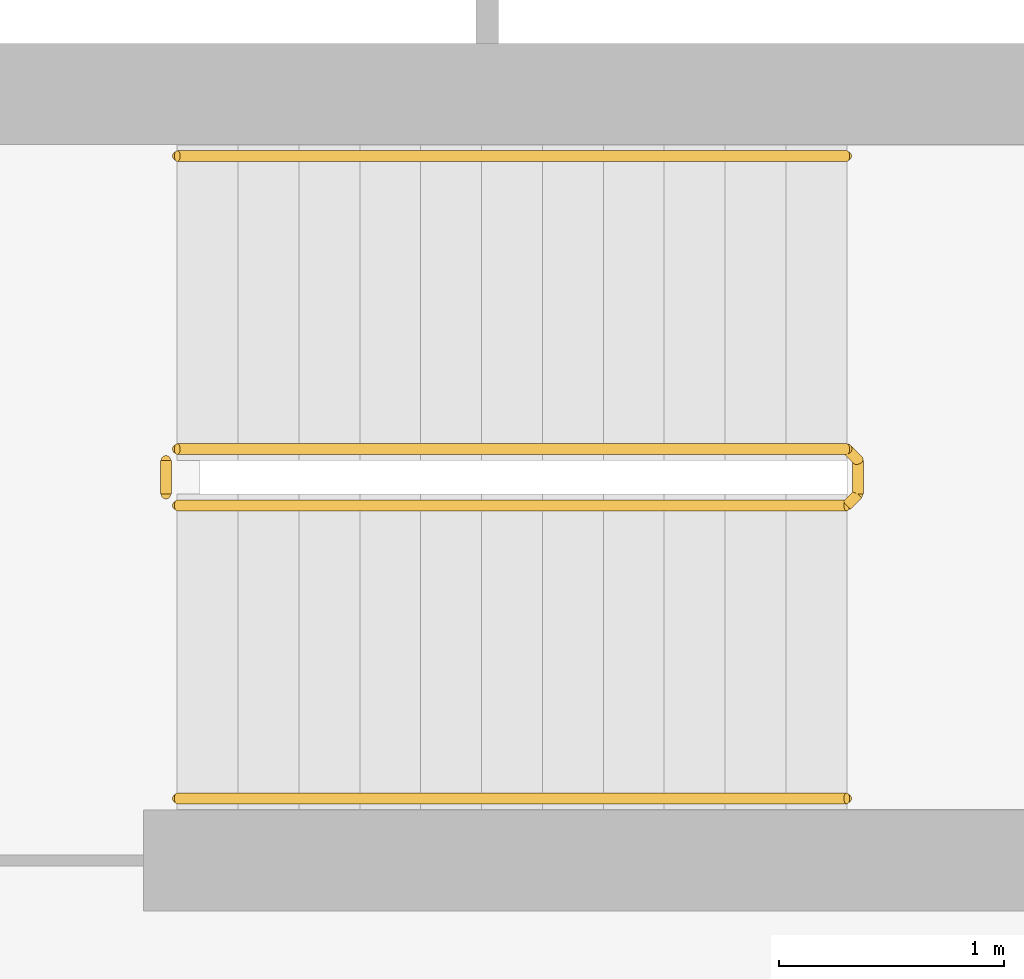
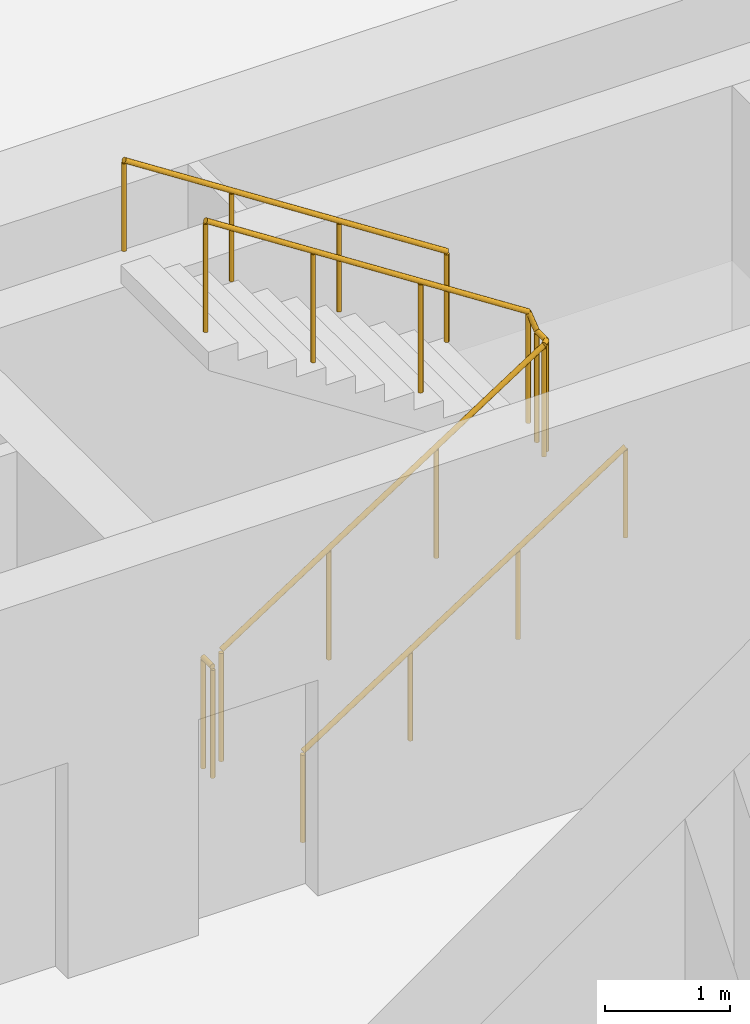
# One storey, part 21 of 24: 4 railings.
"""IFC4 building model written with IfcOpenShell, lengths in metres."""

from ifc_helpers import new_model, si_unit, direction, frame, origin, origin_2d, place, context, subcontext, project, spatial, circle, extrude, material, type_object, element, save


model = new_model("IFC4")

# Units and contexts
model_context = context("Model", 3, precision=1e-05, world=origin(), true_north=direction((0.0, 1.0)))
body_context = subcontext(model_context, "Body", "Model", "MODEL_VIEW")
ifc_project = project(units=[si_unit("LENGTHUNIT", "METRE"), si_unit("AREAUNIT", "SQUARE_METRE"), si_unit("VOLUMEUNIT", "CUBIC_METRE"), si_unit("PLANEANGLEUNIT", "RADIAN"), si_unit("MASSUNIT", "GRAM", prefix="KILO")], contexts=[model_context])

# Site, building, storey
site_placement = place(None, origin())
site = spatial("IfcSite", under=ifc_project, at=site_placement, CompositionType="ELEMENT")
building_placement = place(site_placement, origin())
building = spatial("IfcBuilding", under=site, at=building_placement, Name="Saffron Iwan Residences", CompositionType="ELEMENT")
storey_placement = place(building_placement, frame((0.0, 0.0, 13.199951171875)))
storey = spatial("IfcBuildingStorey", under=building, at=storey_placement, Name="L02", CompositionType="ELEMENT", Elevation=13.199951171875)

# Railings
ifc_material_1 = material(Name="Steel S355", Category="steel")
railing_type_1 = type_object("IfcRailingType", Name="Stair guard 1100", PredefinedType="GUARDRAIL", material=ifc_material_1)
railing_1_placement = place(storey_placement, frame((53.925048828125, 74.27490234375, 0.175048828125)))
element("IfcRailing", 1, at=railing_1_placement, inside=storey, type_object=railing_type_1, Name="L02 ST-C stair guard 1", PredefinedType="GUARDRAIL", context=body_context, shape_type="SweptSolid", body=[
    extrude(circle(Radius=0.02392578125, at=origin_2d()), frame((0.0, 0.0, 1.076171875), z_axis=(0.83914424107, 0.0, 0.543908947048), x_axis=(0.0, 1.0, 0.0)), (0.0, 0.0, 1.0), 3.539306640625),
    extrude(circle(Radius=0.02392578125, at=origin_2d()), frame((2.969970703125, 0.0, 3.0009765625), z_axis=(0.707106781187, 0.707106781187, 0.0), x_axis=(-0.707106781187, 0.707106781187, 0.0)), (0.0, 0.0, 1.0), 0.07080078125),
    extrude(circle(Radius=0.02392578125, at=origin_2d()), frame((3.02001953125, 0.050048828125, 3.0009765625), z_axis=(0.0, 1.0, 0.0), x_axis=(-1.0, 0.0, 0.0)), (0.0, 0.0, 1.0), 0.150146484375),
    extrude(circle(Radius=0.02392578125, at=origin_2d()), frame((3.02001953125, 0.2001953125, 3.0009765625), z_axis=(-0.265155923931, 0.263862480399, 0.927399011991), x_axis=(-0.705375805398, -0.708833529934, 0.0)), (0.0, 0.0, 1.0), 0.188720703125),
    extrude(circle(Radius=0.02392578125, at=origin_2d()), frame((2.969970703125, 0.25, 3.17626953125), z_axis=(-0.839175724659, 0.0, 0.543860370999), x_axis=(0.0, -1.0, 0.0)), (0.0, 0.0, 1.0), 3.5390625),
    extrude(circle(Radius=0.02099609375, at=origin_2d()), origin(), (0.0, 0.0, 1.0), 1.052001953125),
    extrude(circle(Radius=0.02099609375, at=origin_2d()), frame((0.989990234375, 0.0, 0.6416015625)), (0.0, 0.0, 1.0), 1.052001953125),
    extrude(circle(Radius=0.02099609375, at=origin_2d()), frame((1.97998046875, 0.0, 1.283447265625)), (0.0, 0.0, 1.0), 1.052001953125),
    extrude(circle(Radius=0.02099609375, at=origin_2d()), frame((2.969970703125, 0.0, 1.925048828125)), (0.0, 0.0, 1.0), 1.052001953125),
    extrude(circle(Radius=0.02099609375, at=origin_2d()), frame((3.02001953125, 0.050048828125, 1.925048828125)), (0.0, 0.0, 1.0), 1.052001953125),
    extrude(circle(Radius=0.02099609375, at=origin_2d()), frame((3.02001953125, 0.2001953125, 1.925048828125)), (0.0, 0.0, 1.0), 1.052001953125),
    extrude(circle(Radius=0.02099609375, at=origin_2d()), frame((2.969970703125, 0.25, 2.10009765625)), (0.0, 0.0, 1.0), 1.052001953125),
    extrude(circle(Radius=0.02099609375, at=origin_2d()), frame((1.97998046875, 0.25, 2.74169921875)), (0.0, 0.0, 1.0), 1.052001953125),
    extrude(circle(Radius=0.02099609375, at=origin_2d()), frame((0.989990234375, 0.25, 3.38330078125)), (0.0, 0.0, 1.0), 1.052001953125),
    extrude(circle(Radius=0.02099609375, at=origin_2d()), frame((0.0, 0.25, 4.02490234375)), (0.0, 0.0, 1.0), 1.052001953125),
])
railing_2_placement = place(storey_placement, frame((53.875, 74.324951171875, 0.0)))
element("IfcRailing", 2, at=railing_2_placement, inside=storey, type_object=railing_type_1, Name="L02 ST-C stair guard 2", PredefinedType="GUARDRAIL", context=body_context, shape_type="SweptSolid", body=[
    extrude(circle(Radius=0.02392578125, at=origin_2d()), frame((0.0, 0.0, 1.076171875), z_axis=(0.0, 1.0, 0.0), x_axis=(-1.0, 0.0, 0.0)), (0.0, 0.0, 1.0), 0.150146484375),
    extrude(circle(Radius=0.02099609375, at=origin_2d()), origin(), (0.0, 0.0, 1.0), 1.052001953125),
    extrude(circle(Radius=0.02099609375, at=origin_2d()), frame((0.0, 0.150146484375, 0.0)), (0.0, 0.0, 1.0), 1.052001953125),
])
ifc_material_2 = material(Name="Stainless steel 316", Category="steel")
railing_type_2 = type_object("IfcRailingType", Name="Stair handrail 900", PredefinedType="HANDRAIL", material=ifc_material_2)
railing_3_placement = place(storey_placement, frame((53.925048828125, 72.97509765625, 0.175048828125)))
element("IfcRailing", 3, at=railing_3_placement, inside=storey, type_object=railing_type_2, Name="L02 ST-C stair handrail 1", PredefinedType="HANDRAIL", context=body_context, shape_type="SweptSolid", body=[
    extrude(circle(Radius=0.02392578125, at=origin_2d()), frame((0.0, 0.0, 0.8759765625), z_axis=(0.83914424107, 0.0, 0.543908947048), x_axis=(0.0, 1.0, 0.0)), (0.0, 0.0, 1.0), 3.539306640625),
    extrude(circle(Radius=0.02099609375, at=origin_2d()), origin(), (0.0, 0.0, 1.0), 0.851806640625),
    extrude(circle(Radius=0.02099609375, at=origin_2d()), frame((0.989990234375, 0.0, 0.6416015625)), (0.0, 0.0, 1.0), 0.851806640625),
    extrude(circle(Radius=0.02099609375, at=origin_2d()), frame((1.97998046875, 0.0, 1.283447265625)), (0.0, 0.0, 1.0), 0.851806640625),
    extrude(circle(Radius=0.02099609375, at=origin_2d()), frame((2.969970703125, 0.0, 1.925048828125)), (0.0, 0.0, 1.0), 0.851806640625),
])
railing_4_placement = place(storey_placement, frame((56.89501953125, 75.824951171875, 2.275146484375)))
element("IfcRailing", 4, at=railing_4_placement, inside=storey, type_object=railing_type_2, Name="L02 ST-C stair handrail 2", PredefinedType="HANDRAIL", context=body_context, shape_type="SweptSolid", body=[
    extrude(circle(Radius=0.02392578125, at=origin_2d()), frame((0.0, 0.0, 0.8759765625), z_axis=(-0.839175724659, 0.0, 0.543860370999), x_axis=(0.0, -1.0, 0.0)), (0.0, 0.0, 1.0), 3.5390625),
    extrude(circle(Radius=0.02099609375, at=origin_2d()), origin(), (0.0, 0.0, 1.0), 0.851806640625),
    extrude(circle(Radius=0.02099609375, at=origin_2d()), frame((-0.989990234375, 0.0, 0.6416015625)), (0.0, 0.0, 1.0), 0.851806640625),
    extrude(circle(Radius=0.02099609375, at=origin_2d()), frame((-1.97998046875, 0.0, 1.283203125)), (0.0, 0.0, 1.0), 0.851806640625),
    extrude(circle(Radius=0.02099609375, at=origin_2d()), frame((-2.969970703125, 0.0, 1.9248046875)), (0.0, 0.0, 1.0), 0.851806640625),
])

save(model, "model.ifc")
